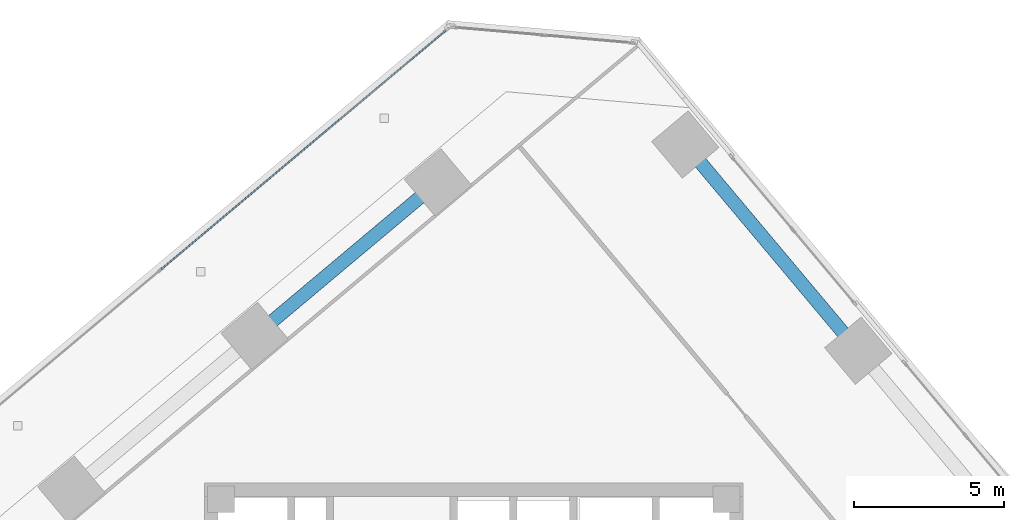
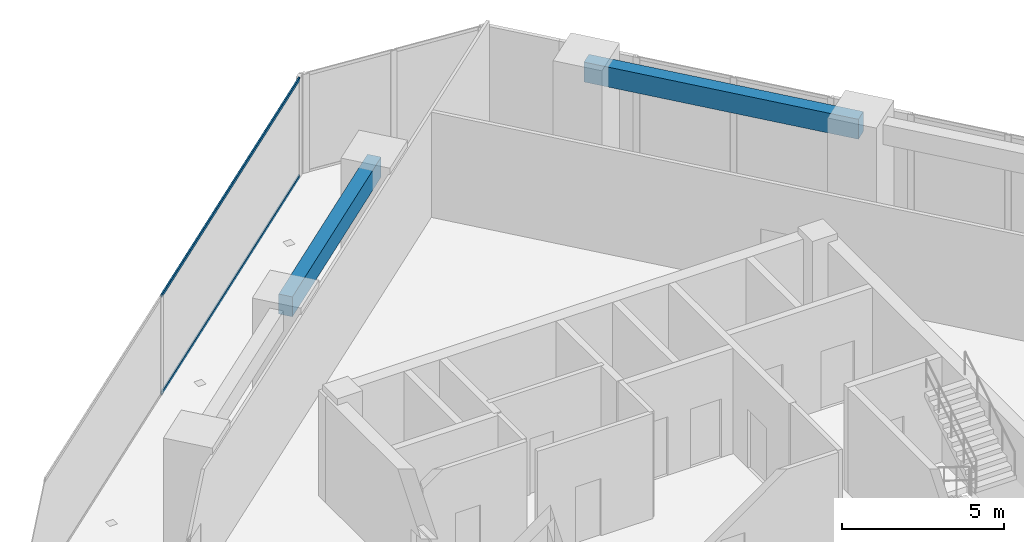
# One storey, part 9 of 17: 2 beams, 2 members, 1 element without a shape of its own.
"""IFC4 building model written with IfcOpenShell, lengths in metres."""

import ifcopenshell
import ifcopenshell.guid

model = None  # the IFC model being written
_history = None  # IfcOwnerHistory: only IFC2X3 demands one
_inside = {}  # id of a spatial element -> (the spatial element, [elements in it])
_under = {}  # id of a project, library or spatial element -> (it, [spatial elements below it])
_declared = {}  # id of a project -> (the project, [libraries it declares])
_typed = {}  # id of a type object -> (the type object, [elements of that type])
_made_of = {}  # id of a material, layer set ... -> (it, [elements and type objects made of it])


def new_model(schema):
    """Start an empty IFC model of exactly this schema.

    Asked for "IFC4X3", IfcOpenShell would pick the latest addendum, in which some entities
    have other attributes; the version numbers below select the first issue.
    IFC2X3 requires an IfcOwnerHistory on every rooted entity: one is made here for all.
    """
    global model, _history
    if schema == "IFC4X3":
        model = ifcopenshell.file(schema_version=(4, 3, 0, 0))
    else:
        model = ifcopenshell.file(schema=schema)
    _inside.clear()
    _under.clear()
    _declared.clear()
    _typed.clear()
    _made_of.clear()
    _history = None
    if model.schema == "IFC2X3":
        org = make("IfcOrganization", Name="unknown")
        user = make(
            "IfcPersonAndOrganization",
            ThePerson=make("IfcPerson", FamilyName="unknown"),
            TheOrganization=org,
        )
        app = make(
            "IfcApplication",
            ApplicationDeveloper=org,
            Version="unknown",
            ApplicationFullName="unknown",
            ApplicationIdentifier="unknown",
        )
        _history = make(
            "IfcOwnerHistory",
            OwningUser=user,
            OwningApplication=app,
            ChangeAction="ADDED",
            CreationDate=0,
        )
    return model


def make(cls, **values):
    """One entity of the class cls with the attributes given. An attribute that is None is left unset."""
    return model.create_entity(
        cls, **{name: value for name, value in values.items() if value is not None}
    )


def rooted(cls, **values):
    """An entity with a GlobalId (a new one), such as an element, a storey or a relation."""
    return make(cls, GlobalId=ifcopenshell.guid.new(), OwnerHistory=_history, **values)


def si_unit(unit_type, name, prefix=None):
    """IfcSIUnit, for example si_unit("LENGTHUNIT", "METRE", prefix="MILLI")."""
    return make("IfcSIUnit", UnitType=unit_type, Prefix=prefix, Name=name)


def assignment(units):
    """IfcUnitAssignment: the units of a project."""
    return None if units is None else make("IfcUnitAssignment", Units=units)


def point(xyz):
    """IfcCartesianPoint."""
    return None if xyz is None else make("IfcCartesianPoint", Coordinates=xyz)


def direction(xyz):
    """IfcDirection."""
    return None if xyz is None else make("IfcDirection", DirectionRatios=xyz)


def frame(location, z_axis=None, x_axis=None):
    """IfcAxis2Placement3D, a coordinate frame: its origin and axes. An axis left out is left unset."""
    return make(
        "IfcAxis2Placement3D",
        Location=point(location),
        Axis=direction(z_axis),
        RefDirection=direction(x_axis),
    )


def frame_2d(location, x_axis=None):
    """IfcAxis2Placement2D, a coordinate frame in the plane: its origin and x axis."""
    return make(
        "IfcAxis2Placement2D", Location=point(location), RefDirection=direction(x_axis)
    )


def origin():
    """The frame at (0, 0, 0) with its axes left unset."""
    return frame((0.0, 0.0, 0.0))


def origin_2d():
    """The frame at (0, 0) in the plane with its x axis left unset."""
    return frame_2d((0.0, 0.0))


def place(relative_to, where):
    """IfcLocalPlacement: puts the frame where relative to a parent placement (None: the world)."""
    return make(
        "IfcLocalPlacement", PlacementRelTo=relative_to, RelativePlacement=where
    )


def context(
    kind, dimensions, precision=None, world=None, true_north=None, identifier=None
):
    """IfcGeometricRepresentationContext, for example the 3D "Model" context."""
    return make(
        "IfcGeometricRepresentationContext",
        ContextIdentifier=identifier,
        ContextType=kind,
        CoordinateSpaceDimension=dimensions,
        Precision=precision,
        WorldCoordinateSystem=world,
        TrueNorth=true_north,
    )


def subcontext(parent, identifier, kind, view, scale=None):
    """IfcGeometricRepresentationSubContext, for example "Body" below "Model"."""
    return make(
        "IfcGeometricRepresentationSubContext",
        ContextIdentifier=identifier,
        ContextType=kind,
        ParentContext=parent,
        TargetScale=scale,
        TargetView=view,
    )


def project(units=None, contexts=None):
    """IfcProject with its units and contexts."""
    return rooted(
        "IfcProject",
        Name="project",
        RepresentationContexts=contexts,
        UnitsInContext=assignment(units),
    )


def spatial(cls, under=None, at=None, **own):
    """A site, building, storey or space (cls), placed at a placement, below another one or the project."""
    s = rooted(cls, ObjectPlacement=at, **own)
    if under is not None:
        _under.setdefault(under.id(), (under, []))[1].append(s)
    return s


def profile(cls, at=None, kind="AREA", **sizes):
    """A parametric profile (cls). Its sizes go by their IFC names, for example OverallWidth=200.0."""
    return make(cls, ProfileType=kind, Position=at, **sizes)


def rectangle(**sizes):
    """IfcRectangleProfileDef."""
    return profile("IfcRectangleProfileDef", **sizes)


def hollow_rectangle(**sizes):
    """IfcRectangleHollowProfileDef."""
    return profile("IfcRectangleHollowProfileDef", **sizes)


def extrude(swept, where, along, depth):
    """IfcExtrudedAreaSolid: the profile swept, set in the frame where, extruded along a direction by depth."""
    return make(
        "IfcExtrudedAreaSolid",
        SweptArea=swept,
        Position=where,
        ExtrudedDirection=direction(along),
        Depth=depth,
    )


def shape(context_of_items, identifier, shape_type, items):
    """IfcShapeRepresentation: the items that make up one representation, for example the "Body"."""
    return make(
        "IfcShapeRepresentation",
        ContextOfItems=context_of_items,
        RepresentationIdentifier=identifier,
        RepresentationType=shape_type,
        Items=items,
    )


def source(mapping_origin, context_of_items, identifier, shape_type, items):
    """IfcRepresentationMap: a shape defined once, which mapped items show again and again."""
    return make(
        "IfcRepresentationMap",
        MappingOrigin=mapping_origin,
        MappedRepresentation=shape(context_of_items, identifier, shape_type, items),
    )


def transform(
    local_origin,
    x_axis=None,
    y_axis=None,
    z_axis=None,
    scale=None,
    scale2=None,
    scale3=None,
    uniform=True,
):
    """IfcCartesianTransformationOperator3D, or its non-uniform kind. x_axis, y_axis, z_axis: its Axis1, 2, 3."""
    if uniform:
        return make(
            "IfcCartesianTransformationOperator3D",
            Axis1=direction(x_axis),
            Axis2=direction(y_axis),
            LocalOrigin=point(local_origin),
            Scale=scale,
            Axis3=direction(z_axis),
        )
    return make(
        "IfcCartesianTransformationOperator3DnonUniform",
        Axis1=direction(x_axis),
        Axis2=direction(y_axis),
        LocalOrigin=point(local_origin),
        Scale=scale,
        Axis3=direction(z_axis),
        Scale2=scale2,
        Scale3=scale3,
    )


def mapped(mapping_source, mapping_target):
    """IfcMappedItem: shows the shape of a source again, moved by a transform."""
    return make(
        "IfcMappedItem", MappingSource=mapping_source, MappingTarget=mapping_target
    )


def material(Name=None, Category=None):
    """IfcMaterial."""
    return make("IfcMaterial", Name=Name, Category=Category)


def material_profile(
    of_material, cross_section, Name=None, Category=None, Priority=None
):
    """IfcMaterialProfile: a cross section and its material."""
    return make(
        "IfcMaterialProfile",
        Name=Name,
        Material=of_material,
        Profile=cross_section,
        Priority=Priority,
        Category=Category,
    )


def profile_set(profiles, Name=None, composite=None):
    """IfcMaterialProfileSet."""
    return make(
        "IfcMaterialProfileSet",
        Name=Name,
        MaterialProfiles=profiles,
        CompositeProfile=composite,
    )


def made_of(thing, what):
    """Note that an element or type object is made of a material, layer set ...; save() writes the relation."""
    if what is not None:
        _made_of.setdefault(what.id(), (what, []))[1].append(thing)
    return thing


def type_object(cls, material=None, **own):
    """A type object (cls), such as IfcWallType, which elements share."""
    return made_of(rooted(cls, **own), material)


def element(
    cls,
    number,
    at=None,
    inside=None,
    cuts=None,
    type_object=None,
    material=None,
    context=None,
    identifier="Body",
    shape_type=None,
    held_by="IfcProductDefinitionShape",
    body=None,
    shapes=None,
    **own,
):
    """One element of the class cls, such as IfcWall. Its Tag is "e" and its number.

    at: its placement. inside: the storey or other place that contains it. cuts: it is an
    opening in that element (IfcRelVoidsElement). A single representation is given by context,
    identifier, shape_type and body (its items); several are given by shapes. held_by: the class
    of the entity that holds the representations. save() writes the other relations.
    """
    e = rooted(cls, Tag="e%d" % number, ObjectPlacement=at, **own)
    if body is not None:
        shapes = [shape(context, identifier, shape_type, body)]
    if shapes is not None:
        e.Representation = make(held_by, Representations=shapes)
    if inside is not None:
        _inside.setdefault(inside.id(), (inside, []))[1].append(e)
    if cuts is not None:
        rooted(
            "IfcRelVoidsElement", RelatingBuildingElement=cuts, RelatedOpeningElement=e
        )
    if type_object is not None:
        _typed.setdefault(type_object.id(), (type_object, []))[1].append(e)
    return made_of(e, material)


def aggregate(whole, parts):
    """IfcRelAggregates: a whole, such as a stair, and the parts it consists of."""
    return rooted("IfcRelAggregates", RelatingObject=whole, RelatedObjects=parts)


def save(model, path):
    """Write the relations noted so far, then the file.

    IfcRelAggregates (storeys below a building ...), IfcRelContainedInSpatialStructure (elements
    in a storey), IfcRelDefinesByType, IfcRelAssociatesMaterial and IfcRelDeclares: one each for
    every whole, place, type object, material and project.
    """
    for whole, parts in _under.values():
        aggregate(whole, parts)
    for where, things in _inside.values():
        rooted(
            "IfcRelContainedInSpatialStructure",
            RelatedElements=things,
            RelatingStructure=where,
        )
    for kind, things in _typed.values():
        rooted("IfcRelDefinesByType", RelatedObjects=things, RelatingType=kind)
    for what, things in _made_of.values():
        rooted("IfcRelAssociatesMaterial", RelatedObjects=things, RelatingMaterial=what)
    for by, libraries in _declared.values():
        rooted("IfcRelDeclares", RelatingContext=by, RelatedDefinitions=libraries)
    model.write(path)


model = new_model("IFC4")

# Units and contexts
model_context = context("Model", 3, precision=1e-05, world=origin(), true_north=direction((0.0, 1.0)))
body_context = subcontext(model_context, "Body", "Model", "MODEL_VIEW")
ifc_project = project(units=[si_unit("LENGTHUNIT", "METRE"), si_unit("AREAUNIT", "SQUARE_METRE"), si_unit("VOLUMEUNIT", "CUBIC_METRE"), si_unit("PLANEANGLEUNIT", "RADIAN"), si_unit("MASSUNIT", "GRAM", prefix="KILO")], contexts=[model_context])

# Site, building, storey
site_placement = place(None, origin())
site = spatial("IfcSite", under=ifc_project, at=site_placement, CompositionType="ELEMENT")
building_placement = place(site_placement, origin())
building = spatial("IfcBuilding", under=site, at=building_placement, Name="Torre Montelarca", CompositionType="ELEMENT")
storey_placement = place(building_placement, frame((0.0, 0.0, 266.800048828125)))
storey = spatial("IfcBuildingStorey", under=building, at=storey_placement, Name="L60", CompositionType="ELEMENT", Elevation=266.800048828125)

# Beams
ifc_material_1 = material(Name="Concrete C55/67", Category="concrete")
ifc_material_profile_1 = material_profile(ifc_material_1, rectangle(XDim=0.449951171875, YDim=0.75, at=origin_2d()), Name="RCB450X750", Category="concrete")
ifc_profile_set_1 = profile_set([ifc_material_profile_1], Name="Concrete C55/67")
beam_type = type_object("IfcBeamType", Name="BM-SP-RC750-EXT", PredefinedType="SPANDREL", material=ifc_profile_set_1)
shared_shape_1 = source(origin(), body_context, "Body", "SweptSolid", [
    extrude(rectangle(XDim=0.449951171875, YDim=0.75, at=origin_2d()), origin(), (0.0, 0.0, 1.0), 8.0),
])
beam_1_placement = place(storey_placement, frame((10.6689453125, 44.90771484375, 3.5849609375), z_axis=(0.766045629364, 0.642786195972, 0.0), x_axis=(-0.642786195972, 0.766045629364, 0.0)))
element("IfcBeam", 1, at=beam_1_placement, inside=storey, type_object=beam_type, Name="L60 Grid Girder Y 32.0-40.0 at X=4.7", PredefinedType="SPANDREL", context=body_context, shape_type="MappedRepresentation", body=[
    mapped(shared_shape_1, transform((0.0, 0.0, 0.0), scale=1.0)),
])
shared_shape_2 = source(origin(), body_context, "Body", "SweptSolid", [
    extrude(rectangle(XDim=0.449951171875, YDim=0.75, at=origin_2d()), origin(), (0.0, 0.0, 1.0), 8.999755859375),
])
beam_2_placement = place(storey_placement, frame((25.07080078125, 51.313720703125, 3.5849609375), z_axis=(0.642782285015, -0.766048911017, 0.0), x_axis=(0.766048911017, 0.642782285015, 0.0)))
element("IfcBeam", 2, at=beam_2_placement, inside=storey, type_object=beam_type, Name="L60 Grid Girder X 9.0-18.0 at Y=47.1", PredefinedType="SPANDREL", context=body_context, shape_type="MappedRepresentation", body=[
    mapped(shared_shape_2, transform((0.0, 0.0, 0.0), scale=1.0)),
])

# Curtain wall, members
ifc_material_2 = material(Name="Insulated low-E laminated glass", Category="glass")
curtain_wall_type = type_object("IfcCurtainWallType", Name="CW-SYS-Z3", PredefinedType="USERDEFINED", material=ifc_material_2)
curtain_wall_placement = place(storey_placement, origin())
curtain_wall = element("IfcCurtainWall", 3, at=curtain_wall_placement, inside=storey, type_object=curtain_wall_type, Name="L60 Curtain Wall Run CW-T3-L60-E10-B1", ObjectType="UNITISED GLAZING", PredefinedType="USERDEFINED")
ifc_material_3 = material(Name="Anodised aluminium AA 6063-T6", Category="aluminium")
ifc_material_profile_2 = material_profile(ifc_material_3, hollow_rectangle(XDim=0.054931640625, YDim=0.1201171875, WallThickness=0.00341796875, InnerFilletRadius=0.00341796875, OuterFilletRadius=0.007080078125, at=origin_2d()), Name="ALU55X120X3.5", Category="aluminium")
ifc_profile_set_2 = profile_set([ifc_material_profile_2], Name="Anodised aluminium AA 6063-T6")
member_type = type_object("IfcMemberType", Name="CWT-ALU120", PredefinedType="USERDEFINED", material=ifc_profile_set_2)
shared_shape_3 = source(origin(), body_context, "Body", "SweptSolid", [
    extrude(hollow_rectangle(XDim=0.054931640625, YDim=0.1201171875, WallThickness=0.00341796875, InnerFilletRadius=0.00341796875, OuterFilletRadius=0.007080078125, at=origin_2d()), origin(), (0.0, 0.0, 1.0), 12.421630859375),
])
member_1_placement = place(storey_placement, frame((17.05615234375, 55.123291015625, 0.02734375), z_axis=(-0.766051674656, -0.642778991378, 0.0), x_axis=(0.642778991378, -0.766051674656, 0.0)))
member_1 = element("IfcMember", 4, at=member_1_placement, type_object=member_type, Name="CW transom 1.1", ObjectType="TRANSOM", PredefinedType="USERDEFINED", context=body_context, shape_type="MappedRepresentation", body=[
    mapped(shared_shape_3, transform((0.0, 0.0, 0.0), scale=1.0)),
])
member_2_placement = place(storey_placement, frame((17.05615234375, 55.123291015625, 3.6923828125), z_axis=(-0.766051674656, -0.642778991378, 0.0), x_axis=(0.642778991378, -0.766051674656, 0.0)))
member_2 = element("IfcMember", 5, at=member_2_placement, type_object=member_type, Name="CW transom 1.2", ObjectType="TRANSOM", PredefinedType="USERDEFINED", context=body_context, shape_type="MappedRepresentation", body=[
    mapped(shared_shape_3, transform((0.0, 0.0, 0.0), scale=1.0)),
])
aggregate(curtain_wall, [member_1, member_2])

save(model, "model.ifc")
